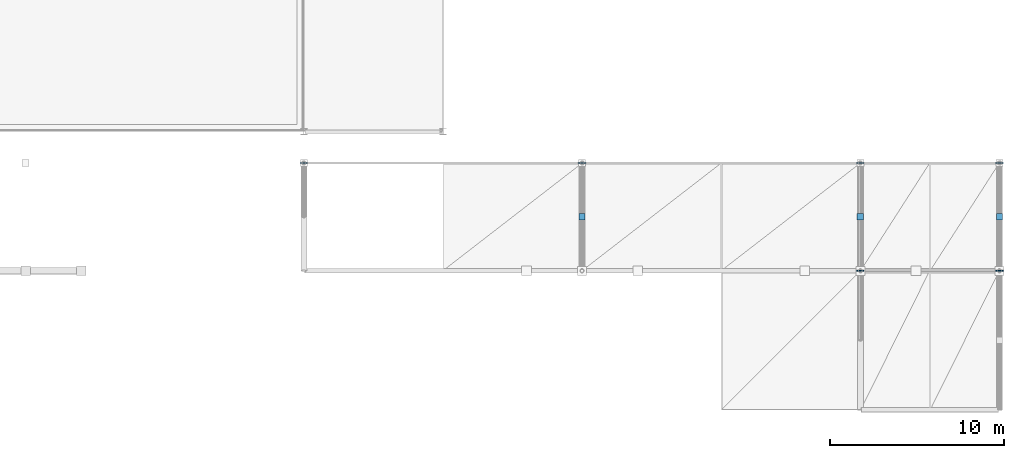
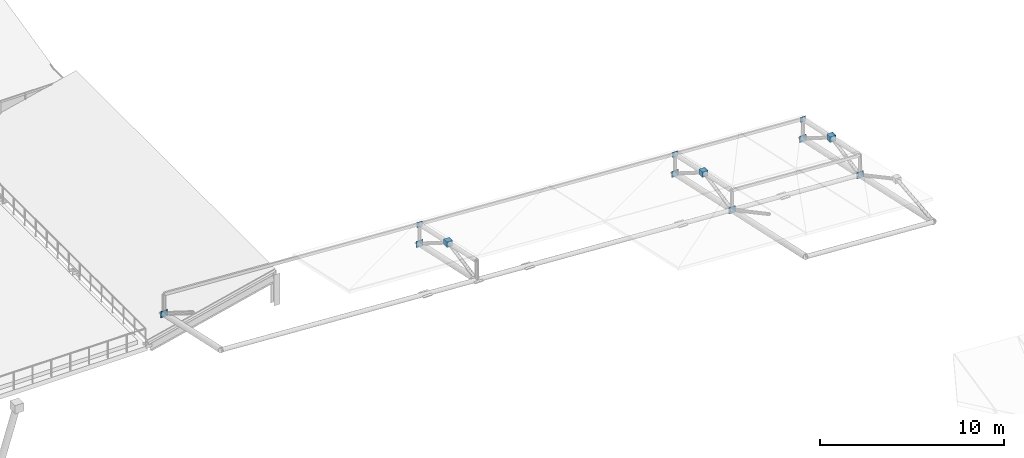
# One storey, part 74 of 83: 12 discrete accessories.
"""IFC4 building model written with IfcOpenShell, lengths in metres."""

from ifc_helpers import new_model, si_unit, direction, frame, origin, origin_2d, place, context, subcontext, project, spatial, rectangle, extrude, material, type_object, element, save


model = new_model("IFC4")

# Units and contexts
model_context = context("Model", 3, precision=1e-05, world=origin(), true_north=direction((0.0, 1.0)))
body_context = subcontext(model_context, "Body", "Model", "MODEL_VIEW")
ifc_project = project(units=[si_unit("LENGTHUNIT", "METRE"), si_unit("AREAUNIT", "SQUARE_METRE"), si_unit("VOLUMEUNIT", "CUBIC_METRE"), si_unit("PLANEANGLEUNIT", "RADIAN"), si_unit("MASSUNIT", "GRAM", prefix="KILO")], contexts=[model_context])

# Site, building, storey
site_placement = place(None, origin())
site = spatial("IfcSite", under=ifc_project, at=site_placement, CompositionType="ELEMENT")
building_placement = place(site_placement, origin())
building = spatial("IfcBuilding", under=site, at=building_placement, Name="Drelvath Fold Interchange", CompositionType="ELEMENT")
storey_placement = place(building_placement, frame((0.0, 0.0, 11.199951171875)))
storey = spatial("IfcBuildingStorey", under=building, at=storey_placement, Name="L02", CompositionType="ELEMENT", Elevation=11.199951171875)

# Discrete accessories
ifc_material = material(Name="Steel ASTM A572 Grade 50", Category="steel")
discrete_accessory_type = type_object("IfcDiscreteAccessoryType", Name="AC-CAP380", PredefinedType="BRACKET", material=ifc_material)
for number, where, z_axis, x_axis, name in (
    (1, (134.0, 73.205078125, 3.01416015625), (0.0, 0.0, 1.0), (1.0, 0.0, 0.0), "Welded hollow member end cap 227"),
    (2, (150.0, 73.205078125, 2.052001953125), (0.0, 0.0, 1.0), (1.0, 0.0, 0.0), "Welded hollow member end cap 243"),
):
    element("IfcDiscreteAccessory", number, at=place(storey_placement, frame(where, z_axis=z_axis, x_axis=x_axis)), inside=storey, type_object=discrete_accessory_type, Name=name, PredefinedType="BRACKET", context=body_context, shape_type="SweptSolid", body=[
        extrude(rectangle(XDim=0.416015625, YDim=0.0400390625, at=origin_2d()), origin(), (0.0, 0.0, 1.0), 0.416015625),
    ])
discrete_accessory_1_placement = place(storey_placement, frame((150.0, 73.205078125, 3.363525390625), z_axis=(0.0, 0.0, 1.0), x_axis=(1.0, 0.0, 0.0)))
element("IfcDiscreteAccessory", 3, at=discrete_accessory_1_placement, inside=storey, type_object=discrete_accessory_type, Name="Welded hollow member end cap 244", PredefinedType="BRACKET", context=body_context, shape_type="SweptSolid", body=[
    extrude(rectangle(XDim=0.3330078125, YDim=0.0400390625, at=origin_2d()), origin(), (0.0, 0.0, 1.0), 0.3330078125),
])
discrete_accessory_2_placement = place(storey_placement, frame((150.0, 70.10498046875, 4.028564453125), z_axis=(0.0, 0.0, 1.0), x_axis=(1.0, 0.0, 0.0)))
element("IfcDiscreteAccessory", 4, at=discrete_accessory_2_placement, inside=storey, type_object=discrete_accessory_type, Name="Welded hollow member end cap 245", PredefinedType="BRACKET", context=body_context, shape_type="SweptSolid", body=[
    extrude(rectangle(XDim=0.35888671875, YDim=0.35888671875, at=origin_2d()), origin(), (0.0, 0.0, 1.0), 0.35888671875),
])
for number, where, z_axis, x_axis, name in (
    (5, (166.0, 67.0048828125, 2.441162109375), (0.0, 0.0, 1.0), (1.0, 0.0, 0.0), "Welded hollow member end cap 257"),
    (6, (166.0, 73.205078125, 1.090087890625), (0.0, 0.0, 1.0), (1.0, 0.0, 0.0), "Welded hollow member end cap 259"),
):
    element("IfcDiscreteAccessory", number, at=place(storey_placement, frame(where, z_axis=z_axis, x_axis=x_axis)), inside=storey, type_object=discrete_accessory_type, Name=name, PredefinedType="BRACKET", context=body_context, shape_type="SweptSolid", body=[
        extrude(rectangle(XDim=0.416015625, YDim=0.0400390625, at=origin_2d()), origin(), (0.0, 0.0, 1.0), 0.416015625),
    ])
discrete_accessory_3_placement = place(storey_placement, frame((166.0, 73.205078125, 2.401611328125), z_axis=(0.0, 0.0, 1.0), x_axis=(1.0, 0.0, 0.0)))
element("IfcDiscreteAccessory", 7, at=discrete_accessory_3_placement, inside=storey, type_object=discrete_accessory_type, Name="Welded hollow member end cap 260", PredefinedType="BRACKET", context=body_context, shape_type="SweptSolid", body=[
    extrude(rectangle(XDim=0.3330078125, YDim=0.0400390625, at=origin_2d()), origin(), (0.0, 0.0, 1.0), 0.3330078125),
])
discrete_accessory_4_placement = place(storey_placement, frame((166.0, 70.10498046875, 3.066650390625), z_axis=(0.0, 0.0, 1.0), x_axis=(1.0, 0.0, 0.0)))
element("IfcDiscreteAccessory", 8, at=discrete_accessory_4_placement, inside=storey, type_object=discrete_accessory_type, Name="Welded hollow member end cap 261", PredefinedType="BRACKET", context=body_context, shape_type="SweptSolid", body=[
    extrude(rectangle(XDim=0.35888671875, YDim=0.35888671875, at=origin_2d()), origin(), (0.0, 0.0, 1.0), 0.35888671875),
])
for number, where, z_axis, x_axis, name in (
    (9, (174.0, 67.0048828125, 1.9599609375), (0.0, 0.0, 1.0), (1.0, 0.0, 0.0), "Welded hollow member end cap 273"),
    (10, (174.0, 73.205078125, 0.608154296875), (0.0, 0.0, 1.0), (1.0, 0.0, 0.0), "Welded hollow member end cap 275"),
):
    element("IfcDiscreteAccessory", number, at=place(storey_placement, frame(where, z_axis=z_axis, x_axis=x_axis)), inside=storey, type_object=discrete_accessory_type, Name=name, PredefinedType="BRACKET", context=body_context, shape_type="SweptSolid", body=[
        extrude(rectangle(XDim=0.416015625, YDim=0.0400390625, at=origin_2d()), origin(), (0.0, 0.0, 1.0), 0.416015625),
    ])
discrete_accessory_5_placement = place(storey_placement, frame((174.0, 73.205078125, 1.91943359375), z_axis=(0.0, 0.0, 1.0), x_axis=(1.0, 0.0, 0.0)))
element("IfcDiscreteAccessory", 11, at=discrete_accessory_5_placement, inside=storey, type_object=discrete_accessory_type, Name="Welded hollow member end cap 276", PredefinedType="BRACKET", context=body_context, shape_type="SweptSolid", body=[
    extrude(rectangle(XDim=0.3330078125, YDim=0.0400390625, at=origin_2d()), origin(), (0.0, 0.0, 1.0), 0.3330078125),
])
discrete_accessory_6_placement = place(storey_placement, frame((174.0, 70.10498046875, 2.584716796875), z_axis=(0.0, 0.0, 1.0), x_axis=(1.0, 0.0, 0.0)))
element("IfcDiscreteAccessory", 12, at=discrete_accessory_6_placement, inside=storey, type_object=discrete_accessory_type, Name="Welded hollow member end cap 277", PredefinedType="BRACKET", context=body_context, shape_type="SweptSolid", body=[
    extrude(rectangle(XDim=0.35888671875, YDim=0.35888671875, at=origin_2d()), origin(), (0.0, 0.0, 1.0), 0.35888671875),
])

save(model, "model.ifc")
